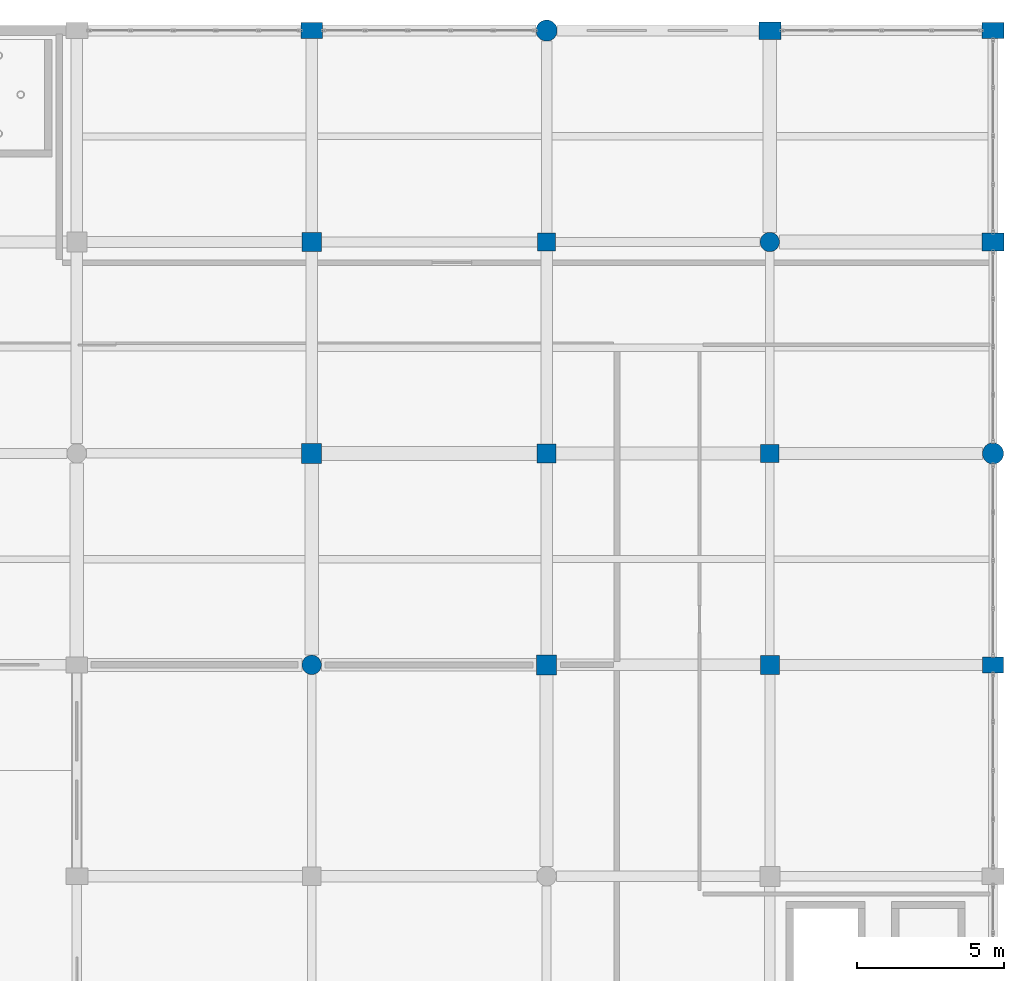
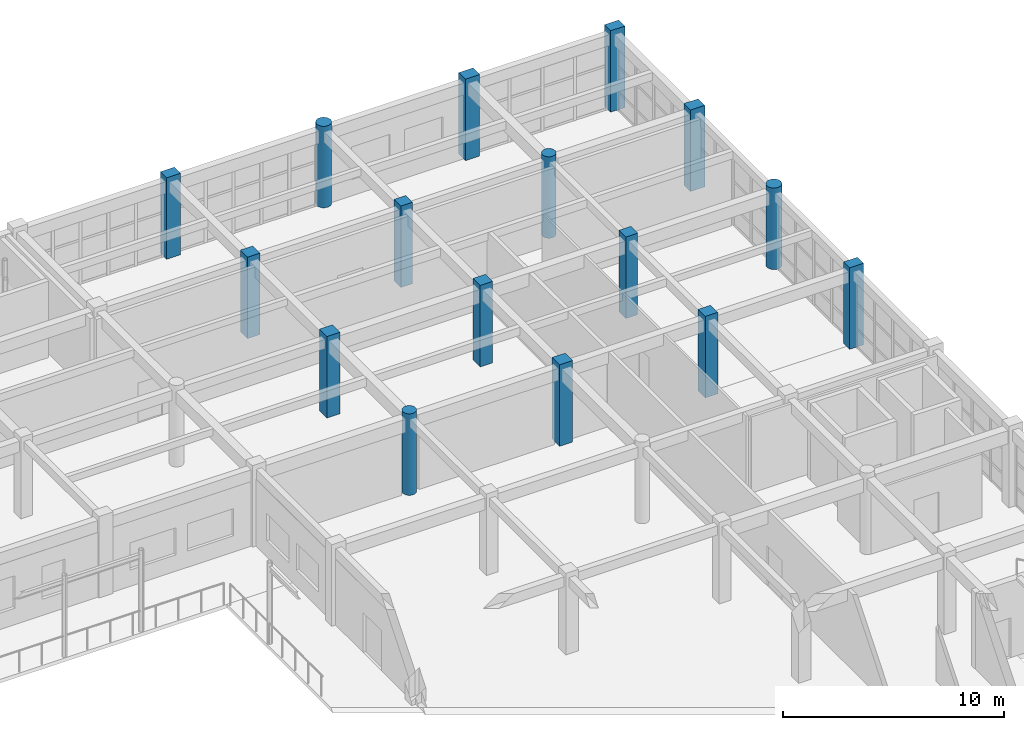
# One storey, part 36 of 160: 16 columns.
"""IFC4 building model written with IfcOpenShell, lengths in metres."""

from ifc_helpers import new_model, si_unit, direction, frame, origin, origin_2d, place, context, subcontext, project, spatial, rectangle, circle, extrude, material, material_profile, profile_set, type_object, element, save


model = new_model("IFC4")

# Units and contexts
model_context = context("Model", 3, precision=1e-05, world=origin(), true_north=direction((0.0, 1.0)))
body_context = subcontext(model_context, "Body", "Model", "MODEL_VIEW")
ifc_project = project(units=[si_unit("LENGTHUNIT", "METRE"), si_unit("AREAUNIT", "SQUARE_METRE"), si_unit("VOLUMEUNIT", "CUBIC_METRE"), si_unit("PLANEANGLEUNIT", "RADIAN"), si_unit("MASSUNIT", "GRAM", prefix="KILO")], contexts=[model_context])

# Site, building, storey
site_placement = place(None, origin())
site = spatial("IfcSite", under=ifc_project, at=site_placement, CompositionType="ELEMENT")
building_placement = place(site_placement, origin())
building = spatial("IfcBuilding", under=site, at=building_placement, Name="Kharva Crest Polytechnic", CompositionType="ELEMENT")
storey_placement = place(building_placement, frame((0.0, 0.0, 4.5)))
storey = spatial("IfcBuildingStorey", under=building, at=storey_placement, Name="L01", CompositionType="ELEMENT", Elevation=4.5)

# Columns
ifc_material = material(Name="Concrete C40/50", Category="concrete")
ifc_material_profile_1 = material_profile(ifc_material, rectangle(XDim=0.719970703125, YDim=0.550048828125, at=origin_2d()), Name="RECT 720 X 550")
ifc_profile_set_1 = profile_set([ifc_material_profile_1], Name="Concrete C40/50")
column_type_1 = type_object("IfcColumnType", Name="COL-EXT-720X550", PredefinedType="COLUMN", material=ifc_profile_set_1)
for number, where, z_axis, x_axis, name in (
    (1, (160.800048828125, 122.0, 0.0), (0.0, 0.0, 1.0), (1.0, 0.0, 0.0), "L01 Column 21/S"),
    (2, (184.0, 100.39990234375, 0.0), (0.0, 0.0, 1.0), (1.0, 0.0, 0.0), "L01 Column 24/P"),
):
    element("IfcColumn", number, at=place(storey_placement, frame(where, z_axis=z_axis, x_axis=x_axis)), inside=storey, type_object=column_type_1, Name=name, PredefinedType="COLUMN", context=body_context, shape_type="SweptSolid", body=[
        extrude(rectangle(XDim=0.719970703125, YDim=0.550048828125, at=origin_2d()), origin(), (0.0, 0.0, 1.0), 4.5),
    ])
ifc_material_profile_2 = material_profile(ifc_material, rectangle(XDim=0.75, YDim=0.550048828125, at=origin_2d()), Name="RECT 750 X 550")
ifc_profile_set_2 = profile_set([ifc_material_profile_2], Name="Concrete C40/50")
column_type_2 = type_object("IfcColumnType", Name="COL-EXT-750X550", PredefinedType="COLUMN", material=ifc_profile_set_2)
column_placement = place(storey_placement, frame((184.0, 122.0, 0.0), z_axis=(0.0, 0.0, 1.0), x_axis=(1.0, 0.0, 0.0)))
element("IfcColumn", 3, at=column_placement, inside=storey, type_object=column_type_2, Name="L01 Column 24/S", PredefinedType="COLUMN", context=body_context, shape_type="SweptSolid", body=[
    extrude(rectangle(XDim=0.75, YDim=0.550048828125, at=origin_2d()), origin(), (0.0, 0.0, 1.0), 4.5),
])
ifc_material_profile_3 = material_profile(ifc_material, rectangle(XDim=0.75, YDim=0.60009765625, at=origin_2d()), Name="RECT 750 X 600")
ifc_profile_set_3 = profile_set([ifc_material_profile_3], Name="Concrete C40/50")
column_type_3 = type_object("IfcColumnType", Name="COL-EXT-750X600", PredefinedType="COLUMN", material=ifc_profile_set_3)
for number, where, z_axis, x_axis, name in (
    (4, (176.39990234375, 122.0, 0.0), (0.0, 0.0, 1.0), (1.0, 0.0, 0.0), "L01 Column 23/S"),
    (5, (184.0, 114.800048828125, 0.0), (0.0, 0.0, 1.0), (1.0, 0.0, 0.0), "L01 Column 24/R"),
):
    element("IfcColumn", number, at=place(storey_placement, frame(where, z_axis=z_axis, x_axis=x_axis)), inside=storey, type_object=column_type_3, Name=name, PredefinedType="COLUMN", context=body_context, shape_type="SweptSolid", body=[
        extrude(rectangle(XDim=0.75, YDim=0.60009765625, at=origin_2d()), origin(), (0.0, 0.0, 1.0), 4.5),
    ])
ifc_material_profile_4 = material_profile(ifc_material, circle(Radius=0.360107421875, at=origin_2d()), Name="DIA 720")
ifc_profile_set_4 = profile_set([ifc_material_profile_4], Name="Concrete C40/50")
column_type_4 = type_object("IfcColumnType", Name="COL-EXT-DIA720", PredefinedType="COLUMN", material=ifc_profile_set_4)
for number, where, z_axis, x_axis, name in (
    (6, (168.800048828125, 122.0, 0.0), (0.0, 0.0, 1.0), (1.0, 0.0, 0.0), "L01 Column 22/S"),
    (7, (184.0, 107.60009765625, 0.0), (0.0, 0.0, 1.0), (1.0, 0.0, 0.0), "L01 Column 24/Q"),
):
    element("IfcColumn", number, at=place(storey_placement, frame(where, z_axis=z_axis, x_axis=x_axis)), inside=storey, type_object=column_type_4, Name=name, PredefinedType="COLUMN", context=body_context, shape_type="SweptSolid", body=[
        extrude(circle(Radius=0.360107421875, at=origin_2d()), origin(), (0.0, 0.0, 1.0), 4.5),
    ])
ifc_material_profile_5 = material_profile(ifc_material, rectangle(XDim=0.6201171875, YDim=0.6201171875, at=origin_2d()), Name="RECT 620 X 620")
ifc_profile_set_5 = profile_set([ifc_material_profile_5], Name="Concrete C40/50")
column_type_5 = type_object("IfcColumnType", Name="COL-INT-620X620", PredefinedType="COLUMN", material=ifc_profile_set_5)
for number, where, z_axis, x_axis, name in (
    (8, (168.800048828125, 114.800048828125, 0.0), (0.0, 0.0, 1.0), (1.0, 0.0, 0.0), "L01 Column 22/R"),
    (9, (176.39990234375, 107.60009765625, 0.0), (0.0, 0.0, 1.0), (1.0, 0.0, 0.0), "L01 Column 23/Q"),
):
    element("IfcColumn", number, at=place(storey_placement, frame(where, z_axis=z_axis, x_axis=x_axis)), inside=storey, type_object=column_type_5, Name=name, PredefinedType="COLUMN", context=body_context, shape_type="SweptSolid", body=[
        extrude(rectangle(XDim=0.6201171875, YDim=0.6201171875, at=origin_2d()), origin(), (0.0, 0.0, 1.0), 4.5),
    ])
ifc_material_profile_6 = material_profile(ifc_material, rectangle(XDim=0.64990234375, YDim=0.64990234375, at=origin_2d()), Name="RECT 650 X 650")
ifc_profile_set_6 = profile_set([ifc_material_profile_6], Name="Concrete C40/50")
column_type_6 = type_object("IfcColumnType", Name="COL-INT-650X650", PredefinedType="COLUMN", material=ifc_profile_set_6)
for number, where, z_axis, x_axis, name in (
    (10, (160.800048828125, 114.800048828125, 0.0), (0.0, 0.0, 1.0), (1.0, 0.0, 0.0), "L01 Column 21/R"),
    (11, (168.800048828125, 107.60009765625, 0.0), (0.0, 0.0, 1.0), (1.0, 0.0, 0.0), "L01 Column 22/Q"),
    (12, (176.39990234375, 100.39990234375, 0.0), (0.0, 0.0, 1.0), (1.0, 0.0, 0.0), "L01 Column 23/P"),
):
    element("IfcColumn", number, at=place(storey_placement, frame(where, z_axis=z_axis, x_axis=x_axis)), inside=storey, type_object=column_type_6, Name=name, PredefinedType="COLUMN", context=body_context, shape_type="SweptSolid", body=[
        extrude(rectangle(XDim=0.64990234375, YDim=0.64990234375, at=origin_2d()), origin(), (0.0, 0.0, 1.0), 4.5),
    ])
ifc_material_profile_7 = material_profile(ifc_material, rectangle(XDim=0.679931640625, YDim=0.679931640625, at=origin_2d()), Name="RECT 680 X 680")
ifc_profile_set_7 = profile_set([ifc_material_profile_7], Name="Concrete C40/50")
column_type_7 = type_object("IfcColumnType", Name="COL-INT-680X680", PredefinedType="COLUMN", material=ifc_profile_set_7)
for number, where, z_axis, x_axis, name in (
    (13, (160.800048828125, 107.60009765625, 0.0), (0.0, 0.0, 1.0), (1.0, 0.0, 0.0), "L01 Column 21/Q"),
    (14, (168.800048828125, 100.39990234375, 0.0), (0.0, 0.0, 1.0), (1.0, 0.0, 0.0), "L01 Column 22/P"),
):
    element("IfcColumn", number, at=place(storey_placement, frame(where, z_axis=z_axis, x_axis=x_axis)), inside=storey, type_object=column_type_7, Name=name, PredefinedType="COLUMN", context=body_context, shape_type="SweptSolid", body=[
        extrude(rectangle(XDim=0.679931640625, YDim=0.679931640625, at=origin_2d()), origin(), (0.0, 0.0, 1.0), 4.5),
    ])
ifc_material_profile_8 = material_profile(ifc_material, circle(Radius=0.330078125, at=origin_2d()), Name="DIA 660")
ifc_profile_set_8 = profile_set([ifc_material_profile_8], Name="Concrete C40/50")
column_type_8 = type_object("IfcColumnType", Name="COL-INT-DIA660", PredefinedType="COLUMN", material=ifc_profile_set_8)
for number, where, z_axis, x_axis, name in (
    (15, (160.800048828125, 100.39990234375, 0.0), (0.0, 0.0, 1.0), (1.0, 0.0, 0.0), "L01 Column 21/P"),
    (16, (176.39990234375, 114.800048828125, 0.0), (0.0, 0.0, 1.0), (1.0, 0.0, 0.0), "L01 Column 23/R"),
):
    element("IfcColumn", number, at=place(storey_placement, frame(where, z_axis=z_axis, x_axis=x_axis)), inside=storey, type_object=column_type_8, Name=name, PredefinedType="COLUMN", context=body_context, shape_type="SweptSolid", body=[
        extrude(circle(Radius=0.330078125, at=origin_2d()), origin(), (0.0, 0.0, 1.0), 4.5),
    ])

save(model, "model.ifc")
